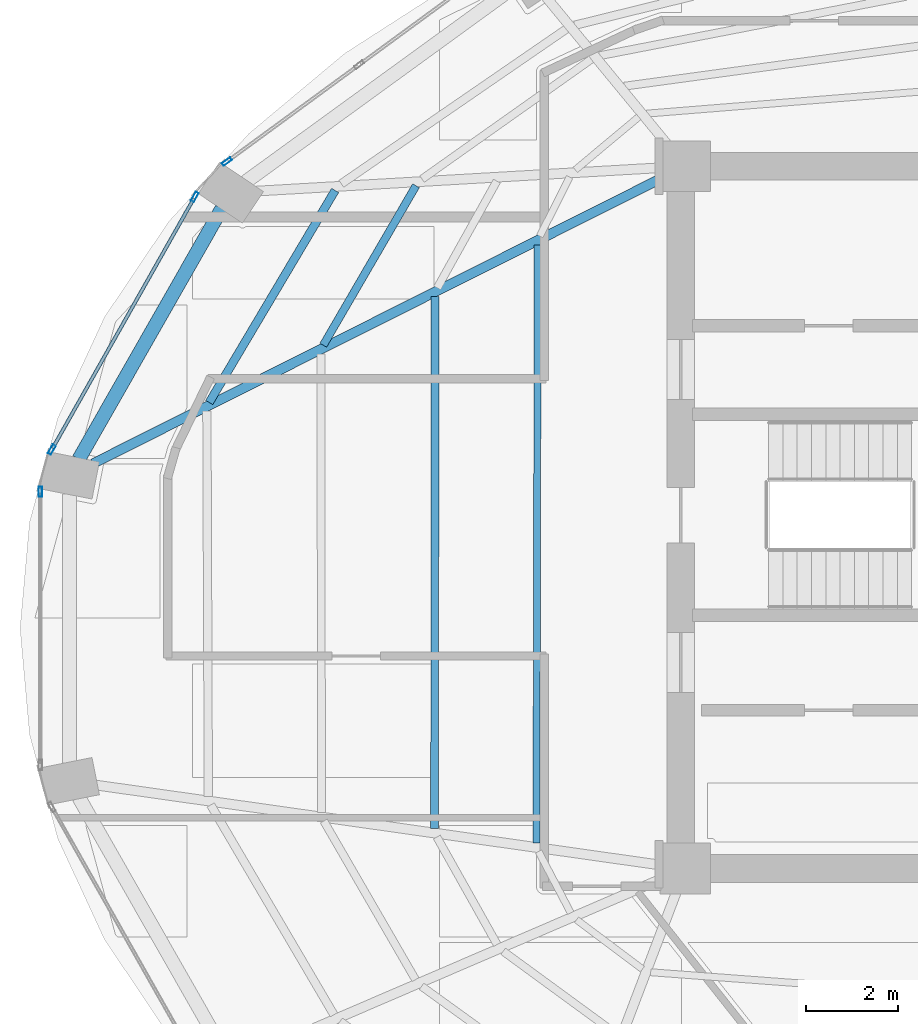
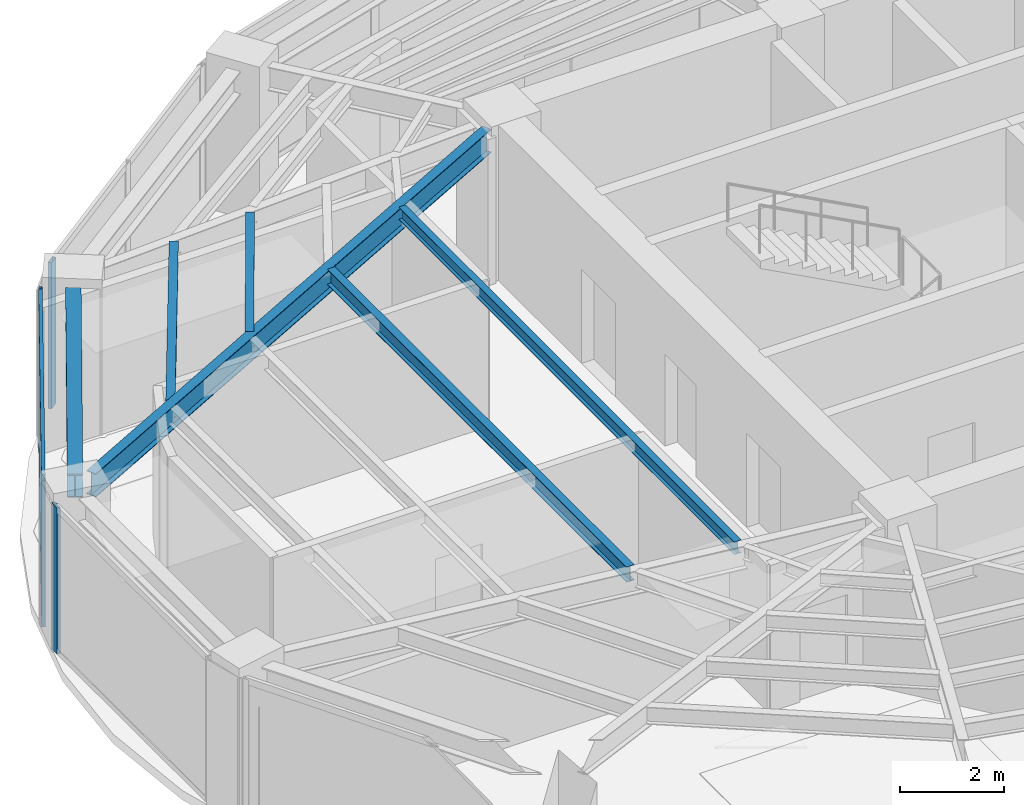
# One storey, part 6 of 20: 6 beams, 6 members, 3 elements without a shape of their own.
"""IFC4 building model written with IfcOpenShell, lengths in metres."""

import ifcopenshell
import ifcopenshell.guid

model = None  # the IFC model being written
_history = None  # IfcOwnerHistory: only IFC2X3 demands one
_inside = {}  # id of a spatial element -> (the spatial element, [elements in it])
_under = {}  # id of a project, library or spatial element -> (it, [spatial elements below it])
_declared = {}  # id of a project -> (the project, [libraries it declares])
_typed = {}  # id of a type object -> (the type object, [elements of that type])
_made_of = {}  # id of a material, layer set ... -> (it, [elements and type objects made of it])


def new_model(schema):
    """Start an empty IFC model of exactly this schema.

    Asked for "IFC4X3", IfcOpenShell would pick the latest addendum, in which some entities
    have other attributes; the version numbers below select the first issue.
    IFC2X3 requires an IfcOwnerHistory on every rooted entity: one is made here for all.
    """
    global model, _history
    if schema == "IFC4X3":
        model = ifcopenshell.file(schema_version=(4, 3, 0, 0))
    else:
        model = ifcopenshell.file(schema=schema)
    _inside.clear()
    _under.clear()
    _declared.clear()
    _typed.clear()
    _made_of.clear()
    _history = None
    if model.schema == "IFC2X3":
        org = make("IfcOrganization", Name="unknown")
        user = make(
            "IfcPersonAndOrganization",
            ThePerson=make("IfcPerson", FamilyName="unknown"),
            TheOrganization=org,
        )
        app = make(
            "IfcApplication",
            ApplicationDeveloper=org,
            Version="unknown",
            ApplicationFullName="unknown",
            ApplicationIdentifier="unknown",
        )
        _history = make(
            "IfcOwnerHistory",
            OwningUser=user,
            OwningApplication=app,
            ChangeAction="ADDED",
            CreationDate=0,
        )
    return model


def make(cls, **values):
    """One entity of the class cls with the attributes given. An attribute that is None is left unset."""
    return model.create_entity(
        cls, **{name: value for name, value in values.items() if value is not None}
    )


def rooted(cls, **values):
    """An entity with a GlobalId (a new one), such as an element, a storey or a relation."""
    return make(cls, GlobalId=ifcopenshell.guid.new(), OwnerHistory=_history, **values)


def si_unit(unit_type, name, prefix=None):
    """IfcSIUnit, for example si_unit("LENGTHUNIT", "METRE", prefix="MILLI")."""
    return make("IfcSIUnit", UnitType=unit_type, Prefix=prefix, Name=name)


def assignment(units):
    """IfcUnitAssignment: the units of a project."""
    return None if units is None else make("IfcUnitAssignment", Units=units)


def point(xyz):
    """IfcCartesianPoint."""
    return None if xyz is None else make("IfcCartesianPoint", Coordinates=xyz)


def direction(xyz):
    """IfcDirection."""
    return None if xyz is None else make("IfcDirection", DirectionRatios=xyz)


def frame(location, z_axis=None, x_axis=None):
    """IfcAxis2Placement3D, a coordinate frame: its origin and axes. An axis left out is left unset."""
    return make(
        "IfcAxis2Placement3D",
        Location=point(location),
        Axis=direction(z_axis),
        RefDirection=direction(x_axis),
    )


def frame_2d(location, x_axis=None):
    """IfcAxis2Placement2D, a coordinate frame in the plane: its origin and x axis."""
    return make(
        "IfcAxis2Placement2D", Location=point(location), RefDirection=direction(x_axis)
    )


def origin():
    """The frame at (0, 0, 0) with its axes left unset."""
    return frame((0.0, 0.0, 0.0))


def origin_2d():
    """The frame at (0, 0) in the plane with its x axis left unset."""
    return frame_2d((0.0, 0.0))


def place(relative_to, where):
    """IfcLocalPlacement: puts the frame where relative to a parent placement (None: the world)."""
    return make(
        "IfcLocalPlacement", PlacementRelTo=relative_to, RelativePlacement=where
    )


def context(
    kind, dimensions, precision=None, world=None, true_north=None, identifier=None
):
    """IfcGeometricRepresentationContext, for example the 3D "Model" context."""
    return make(
        "IfcGeometricRepresentationContext",
        ContextIdentifier=identifier,
        ContextType=kind,
        CoordinateSpaceDimension=dimensions,
        Precision=precision,
        WorldCoordinateSystem=world,
        TrueNorth=true_north,
    )


def subcontext(parent, identifier, kind, view, scale=None):
    """IfcGeometricRepresentationSubContext, for example "Body" below "Model"."""
    return make(
        "IfcGeometricRepresentationSubContext",
        ContextIdentifier=identifier,
        ContextType=kind,
        ParentContext=parent,
        TargetScale=scale,
        TargetView=view,
    )


def project(units=None, contexts=None):
    """IfcProject with its units and contexts."""
    return rooted(
        "IfcProject",
        Name="project",
        RepresentationContexts=contexts,
        UnitsInContext=assignment(units),
    )


def spatial(cls, under=None, at=None, **own):
    """A site, building, storey or space (cls), placed at a placement, below another one or the project."""
    s = rooted(cls, ObjectPlacement=at, **own)
    if under is not None:
        _under.setdefault(under.id(), (under, []))[1].append(s)
    return s


def profile(cls, at=None, kind="AREA", **sizes):
    """A parametric profile (cls). Its sizes go by their IFC names, for example OverallWidth=200.0."""
    return make(cls, ProfileType=kind, Position=at, **sizes)


def hollow_rectangle(**sizes):
    """IfcRectangleHollowProfileDef."""
    return profile("IfcRectangleHollowProfileDef", **sizes)


def i_section(**sizes):
    """IfcIShapeProfileDef."""
    return profile("IfcIShapeProfileDef", **sizes)


def extrude(swept, where, along, depth):
    """IfcExtrudedAreaSolid: the profile swept, set in the frame where, extruded along a direction by depth."""
    return make(
        "IfcExtrudedAreaSolid",
        SweptArea=swept,
        Position=where,
        ExtrudedDirection=direction(along),
        Depth=depth,
    )


def shape(context_of_items, identifier, shape_type, items):
    """IfcShapeRepresentation: the items that make up one representation, for example the "Body"."""
    return make(
        "IfcShapeRepresentation",
        ContextOfItems=context_of_items,
        RepresentationIdentifier=identifier,
        RepresentationType=shape_type,
        Items=items,
    )


def material(Name=None, Category=None):
    """IfcMaterial."""
    return make("IfcMaterial", Name=Name, Category=Category)


def layer(
    of_material, thickness, ventilated=None, Name=None, Category=None, Priority=None
):
    """IfcMaterialLayer: one layer of a wall or slab, of a material (None: an air gap)."""
    return make(
        "IfcMaterialLayer",
        Material=of_material,
        LayerThickness=thickness,
        IsVentilated=ventilated,
        Name=Name,
        Category=Category,
        Priority=Priority,
    )


def layer_set(layers, Name=None):
    """IfcMaterialLayerSet."""
    return make("IfcMaterialLayerSet", MaterialLayers=layers, LayerSetName=Name)


def material_profile(
    of_material, cross_section, Name=None, Category=None, Priority=None
):
    """IfcMaterialProfile: a cross section and its material."""
    return make(
        "IfcMaterialProfile",
        Name=Name,
        Material=of_material,
        Profile=cross_section,
        Priority=Priority,
        Category=Category,
    )


def profile_set(profiles, Name=None, composite=None):
    """IfcMaterialProfileSet."""
    return make(
        "IfcMaterialProfileSet",
        Name=Name,
        MaterialProfiles=profiles,
        CompositeProfile=composite,
    )


def made_of(thing, what):
    """Note that an element or type object is made of a material, layer set ...; save() writes the relation."""
    if what is not None:
        _made_of.setdefault(what.id(), (what, []))[1].append(thing)
    return thing


def type_object(cls, material=None, **own):
    """A type object (cls), such as IfcWallType, which elements share."""
    return made_of(rooted(cls, **own), material)


def element(
    cls,
    number,
    at=None,
    inside=None,
    cuts=None,
    type_object=None,
    material=None,
    context=None,
    identifier="Body",
    shape_type=None,
    held_by="IfcProductDefinitionShape",
    body=None,
    shapes=None,
    **own,
):
    """One element of the class cls, such as IfcWall. Its Tag is "e" and its number.

    at: its placement. inside: the storey or other place that contains it. cuts: it is an
    opening in that element (IfcRelVoidsElement). A single representation is given by context,
    identifier, shape_type and body (its items); several are given by shapes. held_by: the class
    of the entity that holds the representations. save() writes the other relations.
    """
    e = rooted(cls, Tag="e%d" % number, ObjectPlacement=at, **own)
    if body is not None:
        shapes = [shape(context, identifier, shape_type, body)]
    if shapes is not None:
        e.Representation = make(held_by, Representations=shapes)
    if inside is not None:
        _inside.setdefault(inside.id(), (inside, []))[1].append(e)
    if cuts is not None:
        rooted(
            "IfcRelVoidsElement", RelatingBuildingElement=cuts, RelatedOpeningElement=e
        )
    if type_object is not None:
        _typed.setdefault(type_object.id(), (type_object, []))[1].append(e)
    return made_of(e, material)


def aggregate(whole, parts):
    """IfcRelAggregates: a whole, such as a stair, and the parts it consists of."""
    return rooted("IfcRelAggregates", RelatingObject=whole, RelatedObjects=parts)


def save(model, path):
    """Write the relations noted so far, then the file.

    IfcRelAggregates (storeys below a building ...), IfcRelContainedInSpatialStructure (elements
    in a storey), IfcRelDefinesByType, IfcRelAssociatesMaterial and IfcRelDeclares: one each for
    every whole, place, type object, material and project.
    """
    for whole, parts in _under.values():
        aggregate(whole, parts)
    for where, things in _inside.values():
        rooted(
            "IfcRelContainedInSpatialStructure",
            RelatedElements=things,
            RelatingStructure=where,
        )
    for kind, things in _typed.values():
        rooted("IfcRelDefinesByType", RelatedObjects=things, RelatingType=kind)
    for what, things in _made_of.values():
        rooted("IfcRelAssociatesMaterial", RelatedObjects=things, RelatingMaterial=what)
    for by, libraries in _declared.values():
        rooted("IfcRelDeclares", RelatingContext=by, RelatedDefinitions=libraries)
    model.write(path)


model = new_model("IFC4")

# Units and contexts
model_context = context("Model", 3, precision=1e-05, world=origin(), true_north=direction((0.0, 1.0)))
body_context = subcontext(model_context, "Body", "Model", "MODEL_VIEW")
ifc_project = project(units=[si_unit("LENGTHUNIT", "METRE"), si_unit("AREAUNIT", "SQUARE_METRE"), si_unit("VOLUMEUNIT", "CUBIC_METRE"), si_unit("PLANEANGLEUNIT", "RADIAN"), si_unit("MASSUNIT", "GRAM", prefix="KILO")], contexts=[model_context])

# Site, building, storey
site_placement = place(None, origin())
site = spatial("IfcSite", under=ifc_project, at=site_placement, CompositionType="ELEMENT")
building_placement = place(site_placement, origin())
building = spatial("IfcBuilding", under=site, at=building_placement, Name="Lazwardi Medical Tower", CompositionType="ELEMENT")
storey_placement = place(building_placement, frame((0.0, 0.0, 149.23193359375)))
storey = spatial("IfcBuildingStorey", under=building, at=storey_placement, Name="L38", CompositionType="ELEMENT", Elevation=149.23193359375)

# Beams
ifc_material_1 = material(Name="Steel S355", Category="steel")
ifc_material_profile_1 = material_profile(ifc_material_1, i_section(OverallWidth=0.300048828125, OverallDepth=0.550048828125, WebThickness=0.014892578125, FlangeThickness=0.029052734375, at=origin_2d()), Name="HEB 550")
ifc_profile_set_1 = profile_set([ifc_material_profile_1], Name="Steel S355")
beam_type_1 = type_object("IfcBeamType", Name="BM-RB-Z3", PredefinedType="BEAM", material=ifc_profile_set_1)
beam_1_placement = place(storey_placement, frame((16.3662109375, 34.683349609375, 3.153076171875), z_axis=(-0.495477752551, -0.868620628771, 0.0), x_axis=(0.868620628771, -0.495477752551, 0.0)))
element("IfcBeam", 1, at=beam_1_placement, inside=storey, type_object=beam_type_1, Name="Ring beam RB-04 B11 L38", PredefinedType="BEAM", context=body_context, shape_type="SweptSolid", body=[
    extrude(i_section(OverallWidth=0.300048828125, OverallDepth=0.550048828125, WebThickness=0.014892578125, FlangeThickness=0.029052734375, at=origin_2d()), origin(), (0.0, 0.0, 1.0), 6.244384765625),
])
ifc_material_profile_2 = material_profile(ifc_material_1, i_section(OverallWidth=0.2099609375, OverallDepth=0.550048828125, WebThickness=0.010986328125, FlangeThickness=0.01708984375, at=origin_2d()), Name="IPE 550")
ifc_profile_set_2 = profile_set([ifc_material_profile_2], Name="Steel S355")
beam_type_2 = type_object("IfcBeamType", Name="BM-RG-W2", PredefinedType="BEAM", material=ifc_profile_set_2)
beam_2_placement = place(storey_placement, frame((13.57470703125, 29.162841796875, 3.153076171875), z_axis=(0.893740468624, 0.448584412061, 0.0), x_axis=(-0.448584412061, 0.893740468624, 0.0)))
element("IfcBeam", 2, at=beam_2_placement, inside=storey, type_object=beam_type_2, Name="Radial girder RG-03 R12 L38", PredefinedType="BEAM", context=body_context, shape_type="SweptSolid", body=[
    extrude(i_section(OverallWidth=0.2099609375, OverallDepth=0.550048828125, WebThickness=0.010986328125, FlangeThickness=0.01708984375, at=origin_2d()), origin(), (0.0, 0.0, 1.0), 13.815185546875),
])
ifc_material_profile_3 = material_profile(ifc_material_1, i_section(OverallWidth=0.179931640625, OverallDepth=0.39990234375, WebThickness=0.008544921875, FlangeThickness=0.013427734375, at=origin_2d()), Name="IPE 400")
ifc_profile_set_3 = profile_set([ifc_material_profile_3], Name="Steel S355")
beam_type_3 = type_object("IfcBeamType", Name="BM-SJ-01", PredefinedType="JOIST", material=ifc_profile_set_3)
beam_3_placement = place(storey_placement, frame((18.82080078125, 35.078369140625, 3.22802734375), z_axis=(-0.510569396963, -0.859836548935, 0.0), x_axis=(0.859836548935, -0.510569396963, 0.0)))
element("IfcBeam", 3, at=beam_3_placement, inside=storey, type_object=beam_type_3, Name="Secondary joist SJ-01 R1 B11 L38", PredefinedType="JOIST", context=body_context, shape_type="SweptSolid", body=[
    extrude(i_section(OverallWidth=0.179931640625, OverallDepth=0.39990234375, WebThickness=0.008544921875, FlangeThickness=0.013427734375, at=origin_2d()), origin(), (0.0, 0.0, 1.0), 5.33837890625),
])
ifc_material_profile_4 = material_profile(ifc_material_1, i_section(OverallWidth=0.169921875, OverallDepth=0.360107421875, WebThickness=0.008056640625, FlangeThickness=0.0126953125, at=origin_2d()), Name="IPE 360")
ifc_profile_set_4 = profile_set([ifc_material_profile_4], Name="Steel S355")
beam_type_4 = type_object("IfcBeamType", Name="BM-SJ-02", PredefinedType="JOIST", material=ifc_profile_set_4)
beam_4_placement = place(storey_placement, frame((20.5703125, 35.17919921875, 3.248046875), z_axis=(-0.502665102216, -0.864481228839, 0.0), x_axis=(0.864481228839, -0.502665102216, 0.0)))
element("IfcBeam", 4, at=beam_4_placement, inside=storey, type_object=beam_type_4, Name="Secondary joist SJ-02 R2 B11 L38", PredefinedType="JOIST", context=body_context, shape_type="SweptSolid", body=[
    extrude(i_section(OverallWidth=0.169921875, OverallDepth=0.360107421875, WebThickness=0.008056640625, FlangeThickness=0.0126953125, at=origin_2d()), origin(), (0.0, 0.0, 1.0), 3.991943359375),
])
beam_5_placement = place(storey_placement, frame((20.98291015625, 32.78125, 3.248046875), z_axis=(-0.000805852776, -0.999999675301, 0.0), x_axis=(0.999999675301, -0.000805852776, 0.0)))
element("IfcBeam", 5, at=beam_5_placement, inside=storey, type_object=beam_type_4, Name="Secondary joist SJ-02 R3 B12 L38", PredefinedType="JOIST", context=body_context, shape_type="SweptSolid", body=[
    extrude(i_section(OverallWidth=0.169921875, OverallDepth=0.360107421875, WebThickness=0.008056640625, FlangeThickness=0.0126953125, at=origin_2d()), origin(), (0.0, 0.0, 1.0), 11.512451171875),
])
ifc_material_profile_5 = material_profile(ifc_material_1, i_section(OverallWidth=0.14990234375, OverallDepth=0.300048828125, WebThickness=0.007080078125, FlangeThickness=0.0107421875, at=origin_2d()), Name="IPE 300")
ifc_profile_set_5 = profile_set([ifc_material_profile_5], Name="Steel S355")
beam_type_5 = type_object("IfcBeamType", Name="BM-SJ-03", PredefinedType="JOIST", material=ifc_profile_set_5)
beam_6_placement = place(storey_placement, frame((23.205078125, 33.896484375, 3.278076171875), z_axis=(-0.002150897838, -0.999997686817, 0.0), x_axis=(0.999997686817, -0.002150897838, 0.0)))
element("IfcBeam", 6, at=beam_6_placement, inside=storey, type_object=beam_type_5, Name="Secondary joist SJ-03 R4 B12 L38", PredefinedType="JOIST", context=body_context, shape_type="SweptSolid", body=[
    extrude(i_section(OverallWidth=0.14990234375, OverallDepth=0.300048828125, WebThickness=0.007080078125, FlangeThickness=0.0107421875, at=origin_2d()), origin(), (0.0, 0.0, 1.0), 12.939697265625),
])

# Curtain wall, member
ifc_material_2 = material(Name="Anodised bronze aluminium and solar control glazing", Category="aluminium")
ifc_layer = layer(ifc_material_2, 0.195068359375)
ifc_layer_set = layer_set([ifc_layer], Name="Anodised bronze aluminium and solar control glazing")
curtain_wall_type = type_object("IfcCurtainWallType", Name="CW-SYS-03", PredefinedType="NOTDEFINED", material=ifc_layer_set)
curtain_wall_1_placement = place(storey_placement, origin())
curtain_wall_1 = element("IfcCurtainWall", 7, at=curtain_wall_1_placement, inside=storey, type_object=curtain_wall_type, Name="L38 Unitised bronze curtain wall CW-03", PredefinedType="NOTDEFINED")
ifc_material_3 = material(Name="Anodised bronze aluminium", Category="aluminium")
ifc_material_profile_6 = material_profile(ifc_material_3, hollow_rectangle(XDim=0.074951171875, YDim=0.219970703125, WallThickness=0.00390625, at=origin_2d()), Name="ALU-MULLION 220x75x4")
ifc_profile_set_6 = profile_set([ifc_material_profile_6], Name="Anodised bronze aluminium")
member_type_1 = type_object("IfcMemberType", Name="CW-MUL-01", PredefinedType="MULLION", material=ifc_profile_set_6)
member_1_placement = place(storey_placement, frame((16.480224609375, 35.702880859375, 0.0), z_axis=(0.0, 0.0, 1.0), x_axis=(0.590833862635, -0.806793249082, 0.0)))
member_1 = element("IfcMember", 8, at=member_1_placement, type_object=member_type_1, Name="CW-03 mullion 3", PredefinedType="MULLION", context=body_context, shape_type="SweptSolid", body=[
    extrude(hollow_rectangle(XDim=0.074951171875, YDim=0.219970703125, WallThickness=0.00390625, at=origin_2d()), origin(), (0.0, 0.0, 1.0), 3.427978515625),
])
aggregate(curtain_wall_1, [member_1])

# Curtain wall, members
curtain_wall_2_placement = place(storey_placement, origin())
curtain_wall_2 = element("IfcCurtainWall", 9, at=curtain_wall_2_placement, inside=storey, type_object=curtain_wall_type, Name="L38 Unitised bronze curtain wall CW-03", PredefinedType="NOTDEFINED")
member_2_placement = place(storey_placement, frame((15.782470703125, 34.936767578125, 0.0), z_axis=(0.0, 0.0, 1.0), x_axis=(0.870418989303, -0.492311672683, 0.0)))
member_2 = element("IfcMember", 10, at=member_2_placement, type_object=member_type_1, Name="CW-03 mullion 1", PredefinedType="MULLION", context=body_context, shape_type="SweptSolid", body=[
    extrude(hollow_rectangle(XDim=0.074951171875, YDim=0.219970703125, WallThickness=0.00390625, at=origin_2d()), origin(), (0.0, 0.0, 1.0), 3.427978515625),
])
member_3_placement = place(storey_placement, frame((12.68896484375, 29.46728515625, 0.0), z_axis=(0.0, 0.0, 1.0), x_axis=(0.870418989303, -0.492311672683, 0.0)))
member_3 = element("IfcMember", 11, at=member_3_placement, type_object=member_type_1, Name="CW-03 mullion 2", PredefinedType="MULLION", context=body_context, shape_type="SweptSolid", body=[
    extrude(hollow_rectangle(XDim=0.074951171875, YDim=0.219970703125, WallThickness=0.00390625, at=origin_2d()), origin(), (0.0, 0.0, 1.0), 3.427978515625),
])

# Curtain wall, member
curtain_wall_3_placement = place(storey_placement, origin())
curtain_wall_3 = element("IfcCurtainWall", 12, at=curtain_wall_3_placement, inside=storey, type_object=curtain_wall_type, Name="L38 Unitised bronze curtain wall CW-03", PredefinedType="NOTDEFINED")
member_4_placement = place(storey_placement, frame((12.4423828125, 28.557861328125, 0.0), z_axis=(0.0, 0.0, 1.0), x_axis=(1.0, 0.0, 0.0)))
member_4 = element("IfcMember", 13, at=member_4_placement, type_object=member_type_1, Name="CW-03 mullion 1", PredefinedType="MULLION", context=body_context, shape_type="SweptSolid", body=[
    extrude(hollow_rectangle(XDim=0.074951171875, YDim=0.219970703125, WallThickness=0.00390625, at=origin_2d()), origin(), (0.0, 0.0, 1.0), 3.427978515625),
])
aggregate(curtain_wall_3, [member_4])

# Member
ifc_material_profile_7 = material_profile(ifc_material_3, hollow_rectangle(XDim=0.074951171875, YDim=0.159912109375, WallThickness=0.00390625, at=origin_2d()), Name="ALU-TRANSOM 160x75x4")
ifc_profile_set_7 = profile_set([ifc_material_profile_7], Name="Anodised bronze aluminium")
member_type_2 = type_object("IfcMemberType", Name="CW-TRN-01", PredefinedType="USERDEFINED", material=ifc_profile_set_7)
member_5_placement = place(storey_placement, frame((15.763916015625, 34.904052734375, 0.03759765625), z_axis=(-0.492322860598, -0.870412661289, 0.0), x_axis=(0.870412661289, -0.492322860598, 0.0)))
member_5 = element("IfcMember", 14, at=member_5_placement, type_object=member_type_2, Name="CW-03 transom 1.1", ObjectType="TRANSOM", PredefinedType="USERDEFINED", context=body_context, shape_type="SweptSolid", body=[
    extrude(hollow_rectangle(XDim=0.074951171875, YDim=0.159912109375, WallThickness=0.00390625, at=origin_2d()), origin(), (0.0, 0.0, 1.0), 6.20849609375),
])

member_6_placement = place(storey_placement, frame((15.763916015625, 34.904052734375, 3.390625), z_axis=(-0.492322860598, -0.870412661289, 0.0), x_axis=(0.870412661289, -0.492322860598, 0.0)))
member_6 = element("IfcMember", 15, at=member_6_placement, type_object=member_type_2, Name="CW-03 transom 1.2", ObjectType="TRANSOM", PredefinedType="USERDEFINED", context=body_context, shape_type="SweptSolid", body=[
    extrude(hollow_rectangle(XDim=0.074951171875, YDim=0.159912109375, WallThickness=0.00390625, at=origin_2d()), origin(), (0.0, 0.0, 1.0), 6.20849609375),
])

aggregate(curtain_wall_2, [member_2, member_3, member_5, member_6])

save(model, "model.ifc")
